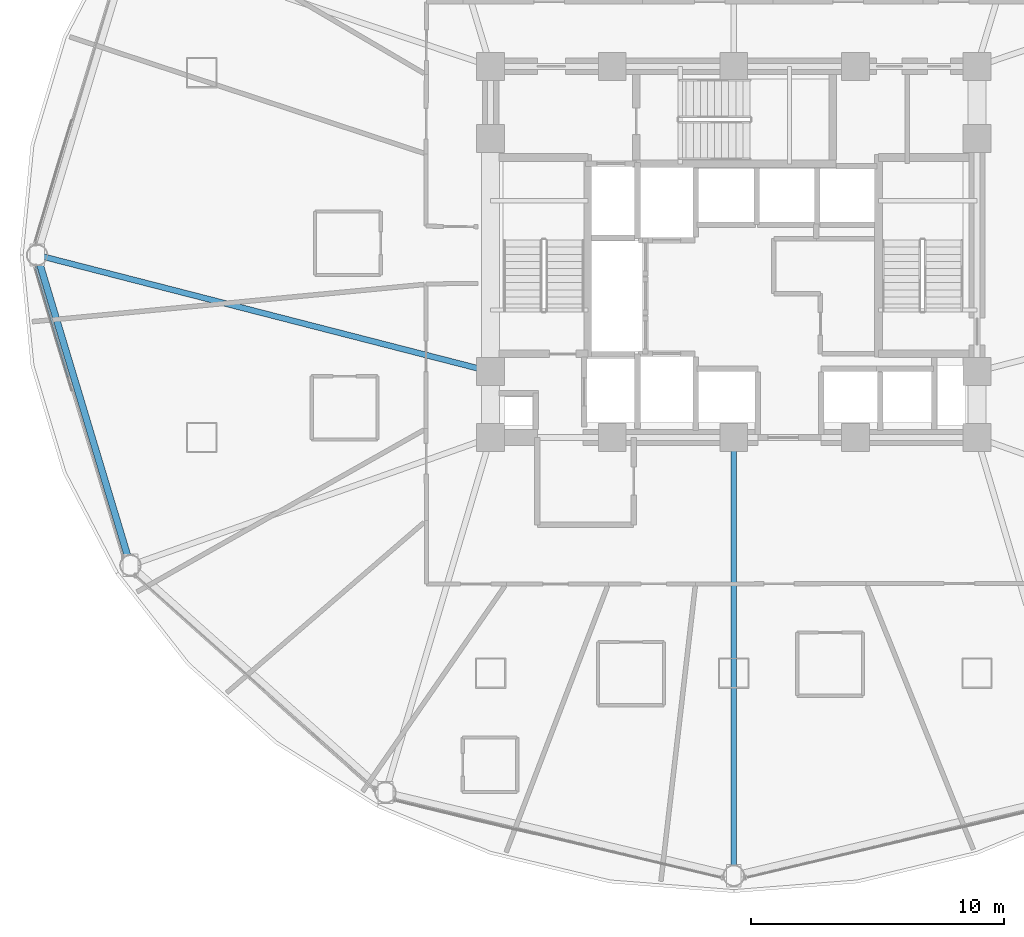
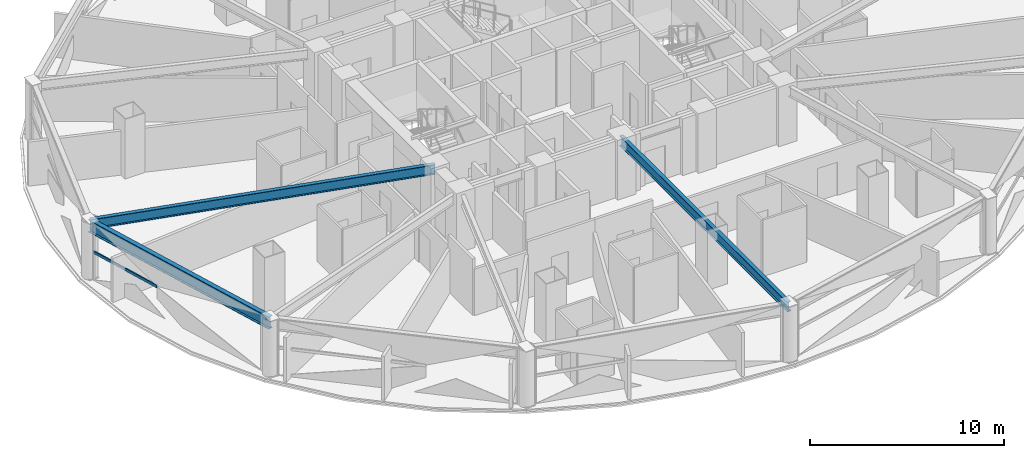
# One storey, part 5 of 30: 3 beams, 1 member, 1 element without a shape of its own.
"""IFC4 building model written with IfcOpenShell, lengths in metres."""

from ifc_helpers import new_model, si_unit, direction, frame, origin, origin_2d, place, context, subcontext, project, spatial, hollow_rectangle, i_section, extrude, material, layer, layer_set, material_profile, profile_set, type_object, element, aggregate, save


model = new_model("IFC4")

# Units and contexts
model_context = context("Model", 3, precision=1e-05, world=origin(), true_north=direction((0.0, 1.0)))
body_context = subcontext(model_context, "Body", "Model", "MODEL_VIEW")
ifc_project = project(units=[si_unit("LENGTHUNIT", "METRE"), si_unit("AREAUNIT", "SQUARE_METRE"), si_unit("VOLUMEUNIT", "CUBIC_METRE"), si_unit("PLANEANGLEUNIT", "RADIAN"), si_unit("MASSUNIT", "GRAM", prefix="KILO")], contexts=[model_context])

# Site, building, storey
site_placement = place(None, origin())
site = spatial("IfcSite", under=ifc_project, at=site_placement, CompositionType="ELEMENT")
building_placement = place(site_placement, origin())
building = spatial("IfcBuilding", under=site, at=building_placement, Name="Vantalir Tower", CompositionType="ELEMENT")
storey_placement = place(building_placement, frame((0.0, 0.0, 83.25)))
storey = spatial("IfcBuildingStorey", under=building, at=storey_placement, Name="L20", CompositionType="ELEMENT", Elevation=83.25)

# Beams
ifc_material_1 = material(Name="Steel S355", Category="steel")
ifc_material_profile_1 = material_profile(ifc_material_1, i_section(OverallWidth=0.22998046875, OverallDepth=0.616943359375, WebThickness=0.01318359375, FlangeThickness=0.022216796875, at=origin_2d()), Name="Steel S355")
ifc_profile_set_1 = profile_set([ifc_material_profile_1], Name="Steel S355")
beam_type_1 = type_object("IfcBeamType", Name="BM-RB-610x229", PredefinedType="BEAM", material=ifc_profile_set_1)
beam_1_placement = place(storey_placement, frame((4.0, 25.0, 3.261962890625), z_axis=(0.968528607781, -0.248902261761, 0.0), x_axis=(0.248902261761, 0.968528607781, 0.0)))
element("IfcBeam", 1, at=beam_1_placement, inside=storey, type_object=beam_type_1, Name="L20 Radial Floor Beam 07", PredefinedType="BEAM", context=body_context, shape_type="SweptSolid", body=[
    extrude(i_section(OverallWidth=0.22998046875, OverallDepth=0.616943359375, WebThickness=0.01318359375, FlangeThickness=0.022216796875, at=origin_2d()), origin(), (0.0, 0.0, 1.0), 18.4814453125),
])
beam_2_placement = place(storey_placement, frame((31.5, 0.5048828125, 3.261962890625), z_axis=(0.0, 1.0, 0.0), x_axis=(-1.0, 0.0, 0.0)))
element("IfcBeam", 2, at=beam_2_placement, inside=storey, type_object=beam_type_1, Name="L20 Radial Floor Beam 10", PredefinedType="BEAM", context=body_context, shape_type="SweptSolid", body=[
    extrude(i_section(OverallWidth=0.22998046875, OverallDepth=0.616943359375, WebThickness=0.01318359375, FlangeThickness=0.022216796875, at=origin_2d()), origin(), (0.0, 0.0, 1.0), 17.295166015625),
])
ifc_material_2 = material(Name="Steel S460", Category="steel")
ifc_material_profile_2 = material_profile(ifc_material_2, i_section(OverallWidth=0.26806640625, OverallDepth=0.77001953125, WebThickness=0.015625, FlangeThickness=0.025390625, at=origin_2d()), Name="Steel S460")
ifc_profile_set_2 = profile_set([ifc_material_profile_2], Name="Steel S460")
beam_type_2 = type_object("IfcBeamType", Name="BM-RG-762x267", PredefinedType="USERDEFINED", material=ifc_profile_set_2)
beam_3_placement = place(storey_placement, frame((4.0, 25.0, 3.18505859375), z_axis=(0.288041290662, -0.957617990053, 0.0), x_axis=(0.957617990053, 0.288041290662, 0.0)))
element("IfcBeam", 3, at=beam_3_placement, inside=storey, type_object=beam_type_2, Name="L20 Circumferential Ring Girder 07", ObjectType="GIRDER", PredefinedType="USERDEFINED", context=body_context, shape_type="SweptSolid", body=[
    extrude(i_section(OverallWidth=0.26806640625, OverallDepth=0.77001953125, WebThickness=0.015625, FlangeThickness=0.025390625, at=origin_2d()), origin(), (0.0, 0.0, 1.0), 12.7900390625),
])

# Curtain wall, member
ifc_material_3 = material(Name="Champagne-silver PVDF aluminium and double-silver Low-E glass", Category="aluminium")
ifc_layer = layer(ifc_material_3, 0.18994140625)
ifc_layer_set = layer_set([ifc_layer], Name="Champagne-silver PVDF aluminium and double-silver Low-E glass")
curtain_wall_type = type_object("IfcCurtainWallType", Name="CW-DIAMOND-Z1", PredefinedType="USERDEFINED", material=ifc_layer_set)
curtain_wall_placement = place(storey_placement, origin())
curtain_wall = element("IfcCurtainWall", 4, at=curtain_wall_placement, inside=storey, type_object=curtain_wall_type, Name="L20 Quilted Pyramid-Diamond Curtain Wall S07", ObjectType="UNITISED CURTAIN WALL", PredefinedType="USERDEFINED")
ifc_material_4 = material(Name="Champagne-silver PVDF aluminium 6063-T6", Category="aluminium")
ifc_material_profile_3 = material_profile(ifc_material_4, hollow_rectangle(XDim=0.074951171875, YDim=0.159912109375, WallThickness=0.00390625, at=origin_2d()), Name="Champagne-silver PVDF aluminium 6063-T6")
ifc_profile_set_3 = profile_set([ifc_material_profile_3], Name="Champagne-silver PVDF aluminium 6063-T6")
member_type = type_object("IfcMemberType", Name="CWT-160x75", PredefinedType="USERDEFINED", material=ifc_profile_set_3)
member_placement = place(storey_placement, frame((3.945068359375, 24.550048828125, 1.784912109375), z_axis=(0.282903082649, -0.959148500404, 0.0), x_axis=(0.959148500404, 0.282903082649, 0.0)))
member = element("IfcMember", 5, at=member_placement, type_object=member_type, Name="CW-L20-S07 Pyramid Fold Ridge Transom", ObjectType="TRANSOM", PredefinedType="USERDEFINED", context=body_context, shape_type="SweptSolid", body=[
    extrude(hollow_rectangle(XDim=0.074951171875, YDim=0.159912109375, WallThickness=0.00390625, at=origin_2d()), origin(), (0.0, 0.0, 1.0), 4.538330078125),
])
aggregate(curtain_wall, [member])

save(model, "model.ifc")
